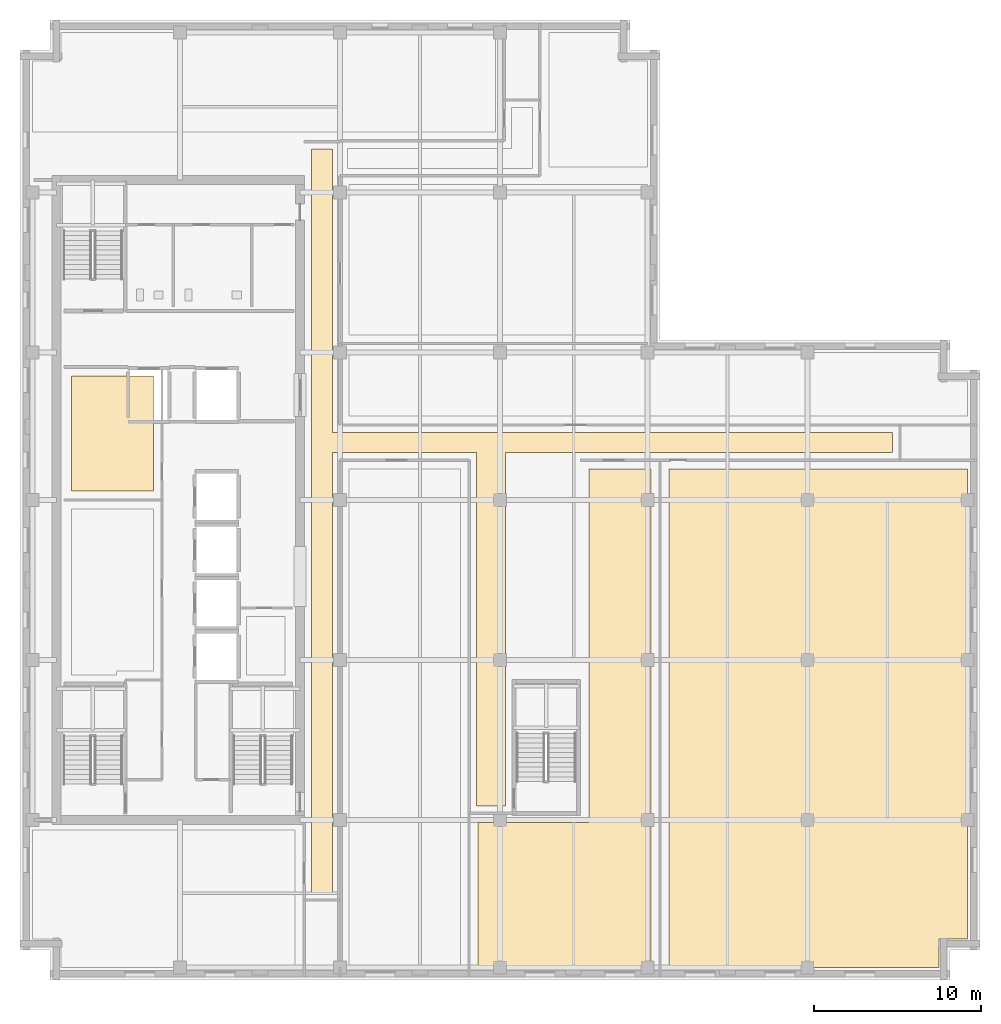
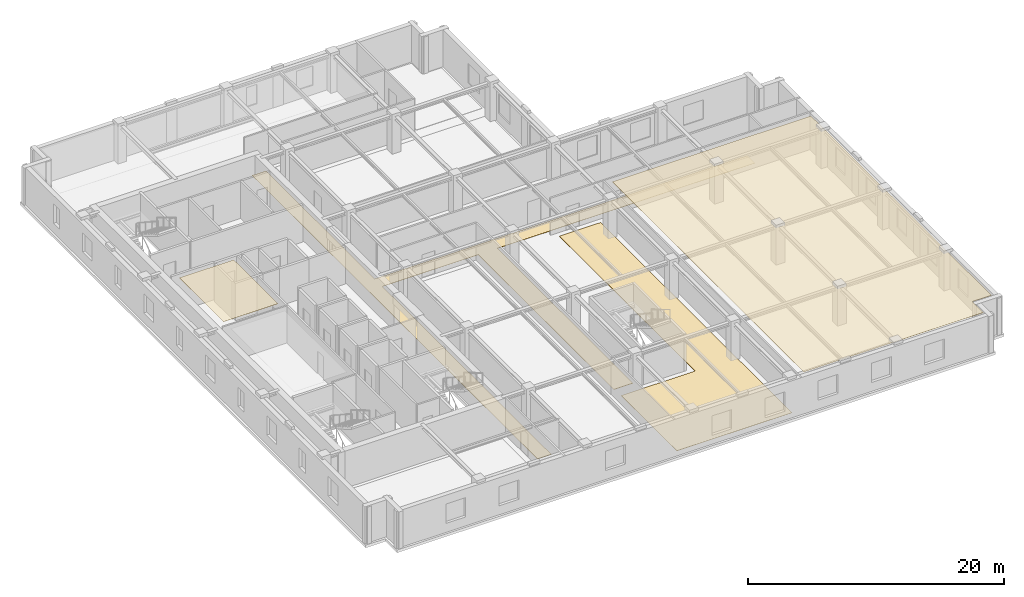
# One storey, part 9 of 12: 4 coverings.
"""IFC4 building model written with IfcOpenShell, lengths in metres."""

from ifc_helpers import new_model, si_unit, direction, frame, origin, place, context, subcontext, project, spatial, polyline, outline, extrude, material, layer, layer_set, type_object, element, save


model = new_model("IFC4")

# Units and contexts
model_context = context("Model", 3, precision=1e-05, world=origin(), true_north=direction((0.0, 1.0)))
body_context = subcontext(model_context, "Body", "Model", "MODEL_VIEW")
ifc_project = project(units=[si_unit("LENGTHUNIT", "METRE"), si_unit("AREAUNIT", "SQUARE_METRE"), si_unit("VOLUMEUNIT", "CUBIC_METRE"), si_unit("PLANEANGLEUNIT", "RADIAN"), si_unit("MASSUNIT", "GRAM", prefix="KILO")], contexts=[model_context])

# Site, building, storey
site_placement = place(None, origin())
site = spatial("IfcSite", under=ifc_project, at=site_placement, CompositionType="ELEMENT")
building_placement = place(site_placement, origin())
building = spatial("IfcBuilding", under=site, at=building_placement, Name="Norrvale University Quadrangle", CompositionType="ELEMENT")
storey_placement = place(building_placement, frame((0.0, 0.0, 237.0)))
storey = spatial("IfcBuildingStorey", under=building, at=storey_placement, Name="L60", CompositionType="ELEMENT", Elevation=237.0)

# Coverings
ifc_material_1 = material(Name="Perforated Acoustic Mineral Ceiling")
ifc_layer_1 = layer(ifc_material_1, 0.02490234375, Name="Perforated Acoustic Mineral Ceiling")
ifc_layer_set_1 = layer_set([ifc_layer_1], Name="Perforated Acoustic Mineral Ceiling")
covering_type_1 = type_object("IfcCoveringType", Name="Covering Acoustic Ceiling 25", PredefinedType="CEILING", material=ifc_layer_set_1)
covering_1_placement = place(storey_placement, frame((0.0, 0.0, 3.514892578125)))
element("IfcCovering", 1, at=covering_1_placement, inside=storey, type_object=covering_type_1, Name="Acoustic Ceiling RM-L60-REC3", PredefinedType="CEILING", context=body_context, shape_type="SweptSolid", body=[
    extrude(outline(polyline([(3.10009765625, 29.35009765625), (3.10009765625, 36.25), (8.0, 36.25), (8.0, 29.35009765625), (3.10009765625, 29.35009765625)])), origin(), (0.0, 0.0, 1.0), 0.025146484375),
])
covering_2_placement = place(storey_placement, frame((0.0, 0.0, 3.514892578125)))
element("IfcCovering", 2, at=covering_2_placement, inside=storey, type_object=covering_type_1, Name="Acoustic Ceiling RM-L60-SE3", PredefinedType="CEILING", context=body_context, shape_type="SweptSolid", body=[
    extrude(outline(polyline([(38.929931640625, 0.75), (38.929931640625, 30.669921875), (56.85009765625, 30.669921875), (56.85009765625, 2.469970703125), (55.1298828125, 2.469970703125), (55.1298828125, 0.75), (38.929931640625, 0.75)])), origin(), (0.0, 0.0, 1.0), 0.025146484375),
])
ifc_material_2 = material(Name="Polished Terrazzo Flooring")
ifc_layer_2 = layer(ifc_material_2, 0.02490234375, Name="Polished Terrazzo Flooring")
ifc_layer_set_2 = layer_set([ifc_layer_2], Name="Polished Terrazzo Flooring")
covering_type_2 = type_object("IfcCoveringType", Name="Covering Terrazzo Floor 30", PredefinedType="FLOORING", material=ifc_layer_set_2)
covering_3_placement = place(storey_placement, origin())
element("IfcCovering", 3, at=covering_3_placement, inside=storey, type_object=covering_type_2, Name="Terrazzo Flooring RM-L60-CORR1", PredefinedType="FLOORING", context=body_context, shape_type="SweptSolid", body=[
    extrude(outline(polyline([(17.5, 5.25), (17.5, 49.85009765625), (18.75, 49.85009765625), (18.75, 32.85009765625), (52.35009765625, 32.85009765625), (52.35009765625, 31.64990234375), (29.1298828125, 31.64990234375), (29.1298828125, 10.449951171875), (27.39990234375, 10.449951171875), (27.39990234375, 31.64990234375), (18.75, 31.64990234375), (18.75, 5.25), (17.5, 5.25)])), origin(), (0.0, 0.0, 1.0), 0.02490234375),
])
covering_4_placement = place(storey_placement, origin())
element("IfcCovering", 4, at=covering_4_placement, inside=storey, type_object=covering_type_2, Name="Terrazzo Flooring RM-L60-SE2", PredefinedType="FLOORING", context=body_context, shape_type="SweptSolid", body=[
    extrude(outline(polyline([(27.47998046875, 9.449951171875), (34.14990234375, 9.449951171875), (34.14990234375, 30.669921875), (37.8701171875, 30.669921875), (37.8701171875, 0.75), (27.47998046875, 0.75), (27.47998046875, 9.449951171875)])), origin(), (0.0, 0.0, 1.0), 0.02490234375),
])

save(model, "model.ifc")
